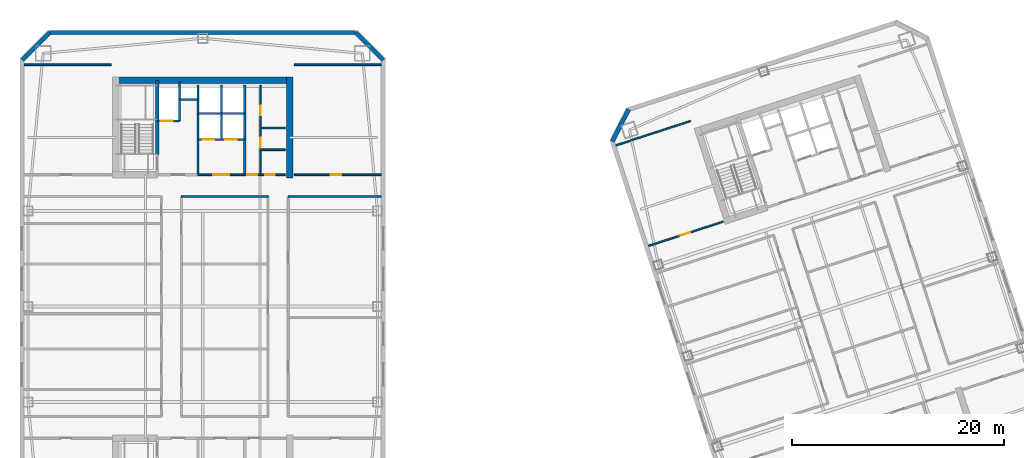
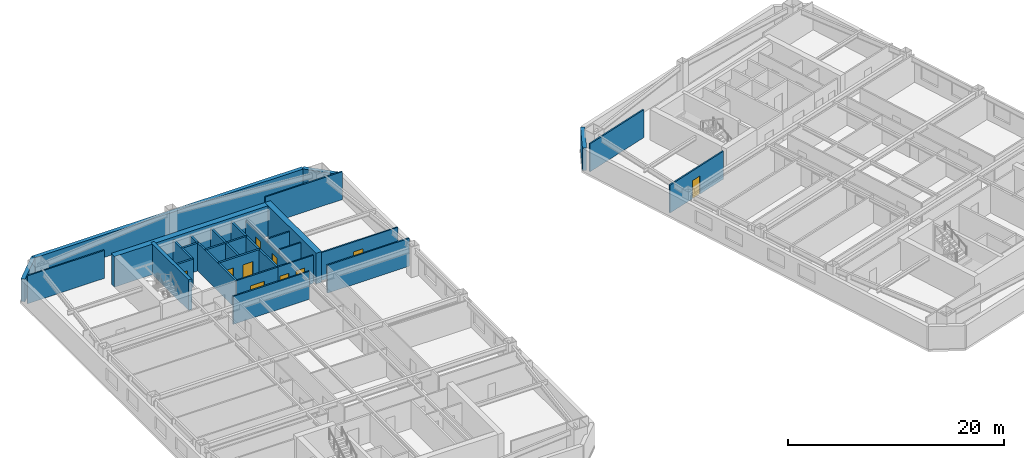
# One storey, part 7 of 13: 27 walls, 10 doors, 10 openings.
"""IFC4 building model written with IfcOpenShell, lengths in metres."""

from ifc_helpers import new_model, si_unit, direction, frame, frame_2d, origin, place, context, subcontext, project, spatial, rectangle, extrude, material, layer, layer_set, type_object, element, fill, save


model = new_model("IFC4")

# Units and contexts
model_context = context("Model", 3, precision=1e-05, world=origin(), true_north=direction((0.0, 1.0)))
body_context = subcontext(model_context, "Body", "Model", "MODEL_VIEW")
ifc_project = project(units=[si_unit("LENGTHUNIT", "METRE"), si_unit("AREAUNIT", "SQUARE_METRE"), si_unit("VOLUMEUNIT", "CUBIC_METRE"), si_unit("PLANEANGLEUNIT", "RADIAN"), si_unit("MASSUNIT", "GRAM", prefix="KILO")], contexts=[model_context])

# Site, building, storey
site_placement = place(None, origin())
site = spatial("IfcSite", under=ifc_project, at=site_placement, CompositionType="ELEMENT")
building_placement = place(site_placement, origin())
building = spatial("IfcBuilding", under=site, at=building_placement, Name="Qiaolan Cultural Towers", CompositionType="ELEMENT")
storey_placement = place(building_placement, frame((0.0, 0.0, 180.550048828125)))
storey = spatial("IfcBuildingStorey", under=building, at=storey_placement, Name="L48", CompositionType="ELEMENT", Elevation=180.550048828125)

# Walls
ifc_material_1 = material(Name="Concrete C50", Category="concrete")
ifc_layer_1 = layer(ifc_material_1, 0.35009765625)
ifc_layer_set_1 = layer_set([ifc_layer_1], Name="Concrete C50")
wall_type_1 = type_object("IfcWallType", Name="WL-CORE-350", PredefinedType="SHEAR", material=ifc_layer_set_1)
wall_1_placement = place(storey_placement, frame((25.719970703125, 48.300048828125, 0.0), z_axis=(0.0, 0.0, 1.0), x_axis=(0.0, 1.0, 0.0)))
element("IfcWall", 1, at=wall_1_placement, inside=storey, type_object=wall_type_1, Name="L48 T1-CN Stair Core Dividing Web", PredefinedType="SHEAR", context=body_context, shape_type="SweptSolid", body=[
    extrude(rectangle(XDim=6.97998046875, YDim=0.35009765625, at=frame_2d((3.489990234375, 0.0))), origin(), (0.0, 0.0, 1.0), 3.449951171875),
])
ifc_material_2 = material(Name="Concrete C55", Category="concrete")
ifc_layer_2 = layer(ifc_material_2, 0.60009765625)
ifc_layer_set_2 = layer_set([ifc_layer_2], Name="Concrete C55")
wall_type_2 = type_object("IfcWallType", Name="WL-CORE-600", PredefinedType="SHEAR", material=ifc_layer_set_2)
wall_2_placement = place(storey_placement, frame((21.5, 55.280029296875, 0.0), z_axis=(0.0, 0.0, 1.0), x_axis=(1.0, 0.0, 0.0)))
element("IfcWall", 2, at=wall_2_placement, inside=storey, type_object=wall_type_2, Name="L48 T1-CN Outer Core Shear Wall", PredefinedType="SHEAR", context=body_context, shape_type="SweptSolid", body=[
    extrude(rectangle(XDim=17.0, YDim=0.60009765625, at=frame_2d((8.5, 0.0))), origin(), (0.0, 0.0, 1.0), 3.449951171875),
])
wall_3_placement = place(storey_placement, frame((38.199951171875, 46.10009765625, 0.0), z_axis=(0.0, 0.0, 1.0), x_axis=(0.0, 1.0, 0.0)))
element("IfcWall", 3, at=wall_3_placement, inside=storey, type_object=wall_type_2, Name="L48 T1-CN East Core Shear Wall", PredefinedType="SHEAR", context=body_context, shape_type="SweptSolid", body=[
    extrude(rectangle(XDim=9.47998046875, YDim=0.60009765625, at=frame_2d((4.739990234375, 0.0))), origin(), (0.0, 0.0, 1.0), 3.449951171875),
])
ifc_material_3 = material(Name="Precast Concrete C50 Honed Stone Pier", Category="masonry")
ifc_layer_3 = layer(ifc_material_3, 0.39990234375)
ifc_layer_set_3 = layer_set([ifc_layer_3], Name="Precast Concrete C50 Honed Stone Pier")
wall_type_3 = type_object("IfcWallType", Name="WL-EXT-PIER-400", PredefinedType="SOLIDWALL", material=ifc_layer_set_3)
wall_4_placement = place(storey_placement, frame((13.0, 57.199951171875, 0.0), z_axis=(0.0, 0.0, 1.0), x_axis=(0.707106781187, 0.707106781187, 0.0)))
element("IfcWall", 4, at=wall_4_placement, inside=storey, type_object=wall_type_3, Name="L48 West Tower Precast Pier Facade Wall F2", PredefinedType="SOLIDWALL", context=body_context, shape_type="SweptSolid", body=[
    extrude(rectangle(XDim=3.677001953125, YDim=0.39990234375, at=frame_2d((1.83837890625, 0.0))), origin(), (0.0, 0.0, 1.0), 2.550048828125),
])
wall_5_placement = place(storey_placement, frame((15.60009765625, 59.800048828125, 0.0), z_axis=(0.0, 0.0, 1.0), x_axis=(1.0, 0.0, 0.0)))
element("IfcWall", 5, at=wall_5_placement, inside=storey, type_object=wall_type_3, Name="L48 West Tower Precast Pier Facade Wall F3", PredefinedType="SOLIDWALL", context=body_context, shape_type="SweptSolid", body=[
    extrude(rectangle(XDim=28.7998046875, YDim=0.39990234375, at=frame_2d((14.39990234375, 0.0))), origin(), (0.0, 0.0, 1.0), 2.550048828125),
])
wall_6_placement = place(storey_placement, frame((44.39990234375, 59.800048828125, 0.0), z_axis=(0.0, 0.0, 1.0), x_axis=(0.707106781187, -0.707106781187, 0.0)))
element("IfcWall", 6, at=wall_6_placement, inside=storey, type_object=wall_type_3, Name="L48 West Tower Precast Pier Facade Wall F4", PredefinedType="SOLIDWALL", context=body_context, shape_type="SweptSolid", body=[
    extrude(rectangle(XDim=3.677001953125, YDim=0.39990234375, at=frame_2d((1.83837890625, 0.0))), origin(), (0.0, 0.0, 1.0), 2.550048828125),
])
wall_7_placement = place(storey_placement, frame((68.550537109375, 49.531982421875, 0.0), z_axis=(0.0, 0.0, 1.0), x_axis=(0.454019523198, 0.890991735402, 0.0)))
element("IfcWall", 7, at=wall_7_placement, inside=storey, type_object=wall_type_3, Name="L48 East Tower Precast Pier Facade Wall F2", PredefinedType="SOLIDWALL", context=body_context, shape_type="SweptSolid", body=[
    extrude(rectangle(XDim=3.39404296875, YDim=0.39990234375, at=frame_2d((1.697021484375, 0.0))), origin(), (0.0, 0.0, 1.0), 2.550048828125),
])
ifc_material_4 = material(Name="Concrete C35 Fire Wall", Category="concrete")
ifc_layer_4 = layer(ifc_material_4, 0.199951171875)
ifc_layer_set_4 = layer_set([ifc_layer_4], Name="Concrete C35 Fire Wall")
wall_type_4 = type_object("IfcWallType", Name="WL-FIRE-200", PredefinedType="PARTITIONING", material=ifc_layer_set_4)
wall_8_placement = place(storey_placement, frame((29.550048828125, 46.39990234375, 0.0), z_axis=(0.0, 0.0, 1.0), x_axis=(0.0, 1.0, 0.0)))
element("IfcWall", 8, at=wall_8_placement, inside=storey, type_object=wall_type_4, Name="L48 T1-CN Firefighting Zone Wall", PredefinedType="PARTITIONING", context=body_context, shape_type="SweptSolid", body=[
    extrude(rectangle(XDim=8.43017578125, YDim=0.199951171875, at=frame_2d((4.215087890625, 0.0))), origin(), (0.0, 0.0, 1.0), 3.155029296875),
])

# Wall, opening, door
wall_9_placement = place(storey_placement, frame((25.719970703125, 51.449951171875, 0.0), z_axis=(0.0, 0.0, 1.0), x_axis=(1.0, 0.0, 0.0)))
wall_9 = element("IfcWall", 9, at=wall_9_placement, inside=storey, type_object=wall_type_4, Name="L48 T1-CN Firefighting Shaft Front Wall", PredefinedType="PARTITIONING", context=body_context, shape_type="SweptSolid", body=[
    extrude(rectangle(XDim=2.10009765625, YDim=0.199951171875, at=frame_2d((1.050048828125, 0.0))), origin(), (0.0, 0.0, 1.0), 3.155029296875),
])
opening_1_placement = place(wall_9_placement, frame((0.35009765625, 0.0, 0.0)))
opening_1 = element("IfcOpeningElement", 10, at=opening_1_placement, cuts=wall_9, Name="Opening LD-01", PredefinedType="OPENING", context=body_context, shape_type="SweptSolid", body=[
    extrude(rectangle(XDim=1.10009765625, YDim=2.050048828125, at=frame_2d((0.550048828125, 1.02490234375))), frame((0.0, 0.10986328125, 0.0), z_axis=(0.0, -1.0, 0.0), x_axis=(1.0, 0.0, 0.0)), (0.0, 0.0, 1.0), 0.219970703125),
])
ifc_material_5 = material(Name="Brushed Stainless Steel S30408 Centre-Parting Lift Landing Door", Category="steel")
door_type_1 = type_object("IfcDoorType", Name="DR-LIFT-1100", OperationType="NOTDEFINED", PredefinedType="DOOR", material=ifc_material_5)
door_1_placement = place(opening_1_placement, origin())
door_1 = element("IfcDoor", 11, at=door_1_placement, inside=storey, type_object=door_type_1, Name="L48 FFL-W2 Firefighting Lift Landing Door", OperationType="DOUBLE_DOOR_SLIDING", OverallHeight=2.050048828125, OverallWidth=1.10009765625, PredefinedType="DOOR", context=body_context, shape_type="SweptSolid", body=[
    extrude(rectangle(XDim=1.10009765625, YDim=2.050048828125, at=frame_2d((0.550048828125, 1.02490234375))), frame((0.0, 0.02490234375, 0.0), z_axis=(0.0, -1.0, 0.0), x_axis=(1.0, 0.0, 0.0)), (0.0, 0.0, 1.0), 0.050048828125),
])
fill(opening_1, door_1)

# Walls
wall_10_placement = place(storey_placement, frame((27.820068359375, 51.449951171875, 0.0), z_axis=(0.0, 0.0, 1.0), x_axis=(0.0, 1.0, 0.0)))
element("IfcWall", 12, at=wall_10_placement, inside=storey, type_object=wall_type_4, Name="L48 T1-CN Firefighting Hoistway East Wall", PredefinedType="PARTITIONING", context=body_context, shape_type="SweptSolid", body=[
    extrude(rectangle(XDim=3.699951171875, YDim=0.199951171875, at=frame_2d((1.85009765625, 0.0))), origin(), (0.0, 0.0, 1.0), 3.155029296875),
])
wall_11_placement = place(storey_placement, frame((27.820068359375, 53.47998046875, 0.0), z_axis=(0.0, 0.0, 1.0), x_axis=(1.0, 0.0, 0.0)))
element("IfcWall", 13, at=wall_11_placement, inside=storey, type_object=wall_type_4, Name="L48 T1-CN Pressurization Shaft Front Wall", PredefinedType="PARTITIONING", context=body_context, shape_type="SweptSolid", body=[
    extrude(rectangle(XDim=1.72998046875, YDim=0.199951171875, at=frame_2d((0.864990234375, 0.0))), origin(), (0.0, 0.0, 1.0), 3.155029296875),
])
wall_12_placement = place(storey_placement, frame((33.949951171875, 46.39990234375, 0.0), z_axis=(0.0, 0.0, 1.0), x_axis=(0.0, 1.0, 0.0)))
element("IfcWall", 14, at=wall_12_placement, inside=storey, type_object=wall_type_4, Name="L48 T1-CN Lift Core East Wall", PredefinedType="PARTITIONING", context=body_context, shape_type="SweptSolid", body=[
    extrude(rectangle(XDim=8.43017578125, YDim=0.199951171875, at=frame_2d((4.215087890625, 0.0))), origin(), (0.0, 0.0, 1.0), 3.155029296875),
])

# Wall, openings, doors
wall_13_placement = place(storey_placement, frame((29.550048828125, 49.719970703125, 0.0), z_axis=(0.0, 0.0, 1.0), x_axis=(1.0, 0.0, 0.0)))
wall_13 = element("IfcWall", 15, at=wall_13_placement, inside=storey, type_object=wall_type_4, Name="L48 T1-CN Passenger Lift Shaft Front Wall", PredefinedType="PARTITIONING", context=body_context, shape_type="SweptSolid", body=[
    extrude(rectangle(XDim=4.39990234375, YDim=0.199951171875, at=frame_2d((2.199951171875, 0.0))), origin(), (0.0, 0.0, 1.0), 3.155029296875),
])
opening_2_placement = place(wall_13_placement, frame((0.449951171875, 0.0, 0.0)))
opening_2 = element("IfcOpeningElement", 16, at=opening_2_placement, cuts=wall_13, Name="Opening LD-01", PredefinedType="OPENING", context=body_context, shape_type="SweptSolid", body=[
    extrude(rectangle(XDim=1.10009765625, YDim=2.050048828125, at=frame_2d((0.550048828125, 1.02490234375))), frame((0.0, 0.10986328125, 0.0), z_axis=(0.0, -1.0, 0.0), x_axis=(1.0, 0.0, 0.0)), (0.0, 0.0, 1.0), 0.219970703125),
])
opening_3_placement = place(wall_13_placement, frame((2.550048828125, 0.0, 0.0)))
opening_3 = element("IfcOpeningElement", 17, at=opening_3_placement, cuts=wall_13, Name="Opening LD-01", PredefinedType="OPENING", context=body_context, shape_type="SweptSolid", body=[
    extrude(rectangle(XDim=1.10009765625, YDim=2.050048828125, at=frame_2d((0.550048828125, 1.02490234375))), frame((0.0, 0.10986328125, 0.0), z_axis=(0.0, -1.0, 0.0), x_axis=(1.0, 0.0, 0.0)), (0.0, 0.0, 1.0), 0.219970703125),
])
door_2_placement = place(opening_2_placement, origin())
door_2 = element("IfcDoor", 18, at=door_2_placement, inside=storey, type_object=door_type_1, Name="L48 Passenger Lift 1 Landing Door", OperationType="DOUBLE_DOOR_SLIDING", OverallHeight=2.050048828125, OverallWidth=1.10009765625, PredefinedType="DOOR", context=body_context, shape_type="SweptSolid", body=[
    extrude(rectangle(XDim=1.10009765625, YDim=2.050048828125, at=frame_2d((0.550048828125, 1.02490234375))), frame((0.0, 0.02490234375, 0.0), z_axis=(0.0, -1.0, 0.0), x_axis=(1.0, 0.0, 0.0)), (0.0, 0.0, 1.0), 0.050048828125),
])
fill(opening_2, door_2)
door_3_placement = place(opening_3_placement, origin())
door_3 = element("IfcDoor", 19, at=door_3_placement, inside=storey, type_object=door_type_1, Name="L48 Passenger Lift 2 Landing Door", OperationType="DOUBLE_DOOR_SLIDING", OverallHeight=2.050048828125, OverallWidth=1.10009765625, PredefinedType="DOOR", context=body_context, shape_type="SweptSolid", body=[
    extrude(rectangle(XDim=1.10009765625, YDim=2.050048828125, at=frame_2d((0.550048828125, 1.02490234375))), frame((0.0, 0.02490234375, 0.0), z_axis=(0.0, -1.0, 0.0), x_axis=(1.0, 0.0, 0.0)), (0.0, 0.0, 1.0), 0.050048828125),
])
fill(opening_3, door_3)

# Walls
wall_14_placement = place(storey_placement, frame((31.780029296875, 49.719970703125, 0.0), z_axis=(0.0, 0.0, 1.0), x_axis=(0.0, 1.0, 0.0)))
element("IfcWall", 20, at=wall_14_placement, inside=storey, type_object=wall_type_4, Name="L48 T1-CN Lift Shaft Divider Wall", PredefinedType="PARTITIONING", context=body_context, shape_type="SweptSolid", body=[
    extrude(rectangle(XDim=5.110107421875, YDim=0.199951171875, at=frame_2d((2.55517578125, 0.0))), origin(), (0.0, 0.0, 1.0), 3.155029296875),
])
wall_15_placement = place(storey_placement, frame((29.550048828125, 52.14990234375, 0.0), z_axis=(0.0, 0.0, 1.0), x_axis=(1.0, 0.0, 0.0)))
element("IfcWall", 21, at=wall_15_placement, inside=storey, type_object=wall_type_4, Name="L48 T1-CN Passenger Lift Shaft Back Wall", PredefinedType="PARTITIONING", context=body_context, shape_type="SweptSolid", body=[
    extrude(rectangle(XDim=4.39990234375, YDim=0.199951171875, at=frame_2d((2.199951171875, 0.0))), origin(), (0.0, 0.0, 1.0), 3.155029296875),
])

# Wall, opening, door
ifc_material_6 = material(Name="Autoclaved Aerated Concrete Block B06", Category="concrete")
ifc_layer_5 = layer(ifc_material_6, 0.14990234375)
ifc_layer_set_5 = layer_set([ifc_layer_5], Name="Autoclaved Aerated Concrete Block B06")
wall_type_5 = type_object("IfcWallType", Name="WL-PART-150", PredefinedType="PARTITIONING", material=ifc_layer_set_5)
wall_16_placement = place(storey_placement, frame((29.550048828125, 46.39990234375, 0.0), z_axis=(0.0, 0.0, 1.0), x_axis=(1.0, 0.0, 0.0)))
wall_16 = element("IfcWall", 22, at=wall_16_placement, inside=storey, type_object=wall_type_5, Name="L48 T1-CN Passenger Lift Lobby Front Wall", PredefinedType="PARTITIONING", context=body_context, shape_type="SweptSolid", body=[
    extrude(rectangle(XDim=4.39990234375, YDim=0.14990234375, at=frame_2d((2.199951171875, 0.0))), origin(), (0.0, 0.0, 1.0), 3.155029296875),
])
opening_4_placement = place(wall_16_placement, frame((1.449951171875, 0.0, 0.0)))
opening_4 = element("IfcOpeningElement", 23, at=opening_4_placement, cuts=wall_16, Name="Opening FD-05", PredefinedType="OPENING", context=body_context, shape_type="SweptSolid", body=[
    extrude(rectangle(XDim=1.5, YDim=2.050048828125, at=frame_2d((0.75, 1.02490234375))), frame((0.0, 0.0849609375, 0.0), z_axis=(0.0, -1.0, 0.0), x_axis=(1.0, 0.0, 0.0)), (0.0, 0.0, 1.0), 0.169921875),
])
ifc_material_7 = material(Name="Painted Steel Lift Lobby Fire Door", Category="steel")
door_type_2 = type_object("IfcDoorType", Name="DR-FD60-1500", OperationType="NOTDEFINED", PredefinedType="DOOR", material=ifc_material_7)
door_4_placement = place(opening_4_placement, origin())
door_4 = element("IfcDoor", 24, at=door_4_placement, inside=storey, type_object=door_type_2, Name="L48 Passenger Lift Lobby Entrance", OperationType="SINGLE_SWING_LEFT", OverallHeight=2.050048828125, OverallWidth=1.5, PredefinedType="DOOR", context=body_context, shape_type="SweptSolid", body=[
    extrude(rectangle(XDim=1.5, YDim=2.050048828125, at=frame_2d((0.75, 1.02490234375))), frame((0.0, 0.02490234375, 0.0), z_axis=(0.0, -1.0, 0.0), x_axis=(1.0, 0.0, 0.0)), (0.0, 0.0, 1.0), 0.050048828125),
])
fill(opening_4, door_4)

# Wall, openings, doors
wall_17_placement = place(storey_placement, frame((33.949951171875, 46.39990234375, 0.0), z_axis=(0.0, 0.0, 1.0), x_axis=(1.0, 0.0, 0.0)))
wall_17 = element("IfcWall", 25, at=wall_17_placement, inside=storey, type_object=wall_type_5, Name="L48 T1-CN Sanitary Core Front Wall", PredefinedType="PARTITIONING", context=body_context, shape_type="SweptSolid", body=[
    extrude(rectangle(XDim=3.800048828125, YDim=0.14990234375, at=frame_2d((1.89990234375, 0.0))), origin(), (0.0, 0.0, 1.0), 3.155029296875),
])
opening_5_placement = place(wall_17_placement, frame((0.219970703125, 0.0, 0.0)))
opening_5 = element("IfcOpeningElement", 26, at=opening_5_placement, cuts=wall_17, Name="Opening ID-05", PredefinedType="OPENING", context=body_context, shape_type="SweptSolid", body=[
    extrude(rectangle(XDim=0.949951171875, YDim=2.050048828125, at=frame_2d((0.47509765625, 1.02490234375))), frame((0.0, 0.0849609375, 0.0), z_axis=(0.0, -1.0, 0.0), x_axis=(1.0, 0.0, 0.0)), (0.0, 0.0, 1.0), 0.169921875),
])
opening_6_placement = place(wall_17_placement, frame((1.949951171875, 0.0, 0.0)))
opening_6 = element("IfcOpeningElement", 27, at=opening_6_placement, cuts=wall_17, Name="Opening ID-06", PredefinedType="OPENING", context=body_context, shape_type="SweptSolid", body=[
    extrude(rectangle(XDim=0.89990234375, YDim=2.050048828125, at=frame_2d((0.449951171875, 1.02490234375))), frame((0.0, 0.0849609375, 0.0), z_axis=(0.0, -1.0, 0.0), x_axis=(1.0, 0.0, 0.0)), (0.0, 0.0, 1.0), 0.169921875),
])
ifc_material_8 = material(Name="Fire-Rated Laminate Core Service Door", Category="timber")
door_type_3 = type_object("IfcDoorType", Name="DR-INT-900", OperationType="NOTDEFINED", PredefinedType="DOOR", material=ifc_material_8)
door_5_placement = place(opening_6_placement, origin())
door_5 = element("IfcDoor", 28, at=door_5_placement, inside=storey, type_object=door_type_3, Name="L48 Core Tea Pantry Door", OperationType="SINGLE_SWING_RIGHT", OverallHeight=2.050048828125, OverallWidth=0.89990234375, PredefinedType="DOOR", context=body_context, shape_type="SweptSolid", body=[
    extrude(rectangle(XDim=0.89990234375, YDim=2.050048828125, at=frame_2d((0.449951171875, 1.02490234375))), frame((0.0, 0.02490234375, 0.0), z_axis=(0.0, -1.0, 0.0), x_axis=(1.0, 0.0, 0.0)), (0.0, 0.0, 1.0), 0.050048828125),
])
fill(opening_6, door_5)
ifc_material_9 = material(Name="Fire-Rated Laminate Accessible Core Door", Category="timber")
door_type_4 = type_object("IfcDoorType", Name="DR-INT-950", OperationType="NOTDEFINED", PredefinedType="DOOR", material=ifc_material_9)
door_6_placement = place(opening_5_placement, origin())
door_6 = element("IfcDoor", 29, at=door_6_placement, inside=storey, type_object=door_type_4, Name="L48 Sanitary Passage Door", OperationType="SINGLE_SWING_LEFT", OverallHeight=2.050048828125, OverallWidth=0.949951171875, PredefinedType="DOOR", context=body_context, shape_type="SweptSolid", body=[
    extrude(rectangle(XDim=0.949951171875, YDim=2.050048828125, at=frame_2d((0.47509765625, 1.02490234375))), frame((0.0, 0.02490234375, 0.0), z_axis=(0.0, -1.0, 0.0), x_axis=(1.0, 0.0, 0.0)), (0.0, 0.0, 1.0), 0.050048828125),
])
fill(opening_5, door_6)

wall_18_placement = place(storey_placement, frame((35.449951171875, 46.39990234375, 0.0), z_axis=(0.0, 0.0, 1.0), x_axis=(0.0, 1.0, 0.0)))
wall_18 = element("IfcWall", 30, at=wall_18_placement, inside=storey, type_object=wall_type_5, Name="L48 T1-CN Sanitary Corridor Wall", PredefinedType="PARTITIONING", context=body_context, shape_type="SweptSolid", body=[
    extrude(rectangle(XDim=8.43017578125, YDim=0.14990234375, at=frame_2d((4.215087890625, 0.0))), origin(), (0.0, 0.0, 1.0), 2.744873046875),
])
opening_7_placement = place(wall_18_placement, frame((2.550048828125, 0.0, 0.0)))
opening_7 = element("IfcOpeningElement", 31, at=opening_7_placement, cuts=wall_18, Name="Opening ID-05", PredefinedType="OPENING", context=body_context, shape_type="SweptSolid", body=[
    extrude(rectangle(XDim=0.949951171875, YDim=2.050048828125, at=frame_2d((0.47509765625, 1.02490234375))), frame((0.0, 0.0849609375, 0.0), z_axis=(0.0, -1.0, 0.0), x_axis=(1.0, 0.0, 0.0)), (0.0, 0.0, 1.0), 0.169921875),
])
opening_8_placement = place(wall_18_placement, frame((5.60009765625, 0.0, 0.0)))
opening_8 = element("IfcOpeningElement", 32, at=opening_8_placement, cuts=wall_18, Name="Opening ID-06", PredefinedType="OPENING", context=body_context, shape_type="SweptSolid", body=[
    extrude(rectangle(XDim=0.89990234375, YDim=2.050048828125, at=frame_2d((0.449951171875, 1.02490234375))), frame((0.0, 0.0849609375, 0.0), z_axis=(0.0, -1.0, 0.0), x_axis=(1.0, 0.0, 0.0)), (0.0, 0.0, 1.0), 0.169921875),
])
door_7_placement = place(opening_8_placement, origin())
door_7 = element("IfcDoor", 33, at=door_7_placement, inside=storey, type_object=door_type_3, Name="L48 Staff Restroom Door", OperationType="SINGLE_SWING_RIGHT", OverallHeight=2.050048828125, OverallWidth=0.89990234375, PredefinedType="DOOR", context=body_context, shape_type="SweptSolid", body=[
    extrude(rectangle(XDim=0.89990234375, YDim=2.050048828125, at=frame_2d((0.449951171875, 1.02490234375))), frame((0.0, 0.02490234375, 0.0), z_axis=(0.0, -1.0, 0.0), x_axis=(1.0, 0.0, 0.0)), (0.0, 0.0, 1.0), 0.050048828125),
])
fill(opening_8, door_7)
door_8_placement = place(opening_7_placement, origin())
door_8 = element("IfcDoor", 34, at=door_8_placement, inside=storey, type_object=door_type_4, Name="L48 Accessible Washroom Door", OperationType="SINGLE_SWING_LEFT", OverallHeight=2.050048828125, OverallWidth=0.949951171875, PredefinedType="DOOR", context=body_context, shape_type="SweptSolid", body=[
    extrude(rectangle(XDim=0.949951171875, YDim=2.050048828125, at=frame_2d((0.47509765625, 1.02490234375))), frame((0.0, 0.02490234375, 0.0), z_axis=(0.0, -1.0, 0.0), x_axis=(1.0, 0.0, 0.0)), (0.0, 0.0, 1.0), 0.050048828125),
])
fill(opening_7, door_8)

# Walls
for number, where, z_axis, x_axis, name in (
    (35, (35.449951171875, 50.800048828125, 0.0), (0.0, 0.0, 1.0), (1.0, 0.0, 0.0), "L48 T1-CN Restroom Split Wall"),
    (36, (35.449951171875, 48.75, 0.0), (0.0, 0.0, 1.0), (1.0, 0.0, 0.0), "L48 T1-CN Core Pantry Wall"),
):
    element("IfcWall", number, at=place(storey_placement, frame(where, z_axis=z_axis, x_axis=x_axis)), inside=storey, type_object=wall_type_5, Name=name, PredefinedType="PARTITIONING", context=body_context, shape_type="SweptSolid", body=[
        extrude(rectangle(XDim=2.300048828125, YDim=0.14990234375, at=frame_2d((1.14990234375, 0.0))), origin(), (0.0, 0.0, 1.0), 3.155029296875),
    ])
for number, where, z_axis, x_axis, name in (
    (37, (13.199951171875, 56.75, 0.0), (0.0, 0.0, 1.0), (1.0, 0.0, 0.0), "L48 T1 Flank Wall FLK-NW"),
    (38, (38.60009765625, 56.75, 0.0), (0.0, 0.0, 1.0), (1.0, 0.0, 0.0), "L48 T1 Flank Wall FLK-NE"),
):
    element("IfcWall", number, at=place(storey_placement, frame(where, z_axis=z_axis, x_axis=x_axis)), inside=storey, type_object=wall_type_5, Name=name, PredefinedType="PARTITIONING", context=body_context, shape_type="SweptSolid", body=[
        extrude(rectangle(XDim=8.199951171875, YDim=0.14990234375, at=frame_2d((4.10009765625, 0.0))), origin(), (0.0, 0.0, 1.0), 3.155029296875),
    ])

# Wall, opening, door
wall_19_placement = place(storey_placement, frame((38.60009765625, 46.39990234375, 0.0), z_axis=(0.0, 0.0, 1.0), x_axis=(1.0, 0.0, 0.0)))
wall_19 = element("IfcWall", 39, at=wall_19_placement, inside=storey, type_object=wall_type_5, Name="L48 T1 Flank Front FLK-NE", PredefinedType="PARTITIONING", context=body_context, shape_type="SweptSolid", body=[
    extrude(rectangle(XDim=8.199951171875, YDim=0.14990234375, at=frame_2d((4.10009765625, 0.0))), origin(), (0.0, 0.0, 1.0), 3.155029296875),
])
opening_9_placement = place(wall_19_placement, frame((3.444091796875, 0.0, 0.0)))
opening_9 = element("IfcOpeningElement", 40, at=opening_9_placement, cuts=wall_19, Name="Opening ID-04", PredefinedType="OPENING", context=body_context, shape_type="SweptSolid", body=[
    extrude(rectangle(XDim=1.0, YDim=2.050048828125, at=frame_2d((0.5, 1.02490234375))), frame((0.0, 0.0849609375, 0.0), z_axis=(0.0, -1.0, 0.0), x_axis=(1.0, 0.0, 0.0)), (0.0, 0.0, 1.0), 0.169921875),
])
ifc_material_10 = material(Name="Oak Veneer Acoustic Office Door", Category="timber")
door_type_5 = type_object("IfcDoorType", Name="DR-INT-1000", OperationType="NOTDEFINED", PredefinedType="DOOR", material=ifc_material_10)
door_9_placement = place(opening_9_placement, origin())
door_9 = element("IfcDoor", 41, at=door_9_placement, inside=storey, type_object=door_type_5, Name="L48 T1 Corner Studio Door", OperationType="SINGLE_SWING_LEFT", OverallHeight=2.050048828125, OverallWidth=1.0, PredefinedType="DOOR", context=body_context, shape_type="SweptSolid", body=[
    extrude(rectangle(XDim=1.0, YDim=2.050048828125, at=frame_2d((0.5, 1.02490234375))), frame((0.0, 0.02490234375, 0.0), z_axis=(0.0, -1.0, 0.0), x_axis=(1.0, 0.0, 0.0)), (0.0, 0.0, 1.0), 0.050048828125),
])
fill(opening_9, door_9)

# Walls
wall_20_placement = place(storey_placement, frame((28.0, 44.35009765625, 0.0), z_axis=(0.0, 0.0, 1.0), x_axis=(1.0, 0.0, 0.0)))
element("IfcWall", 42, at=wall_20_placement, inside=storey, type_object=wall_type_5, Name="L48 T1 Interior Wall", PredefinedType="PARTITIONING", context=body_context, shape_type="SweptSolid", body=[
    extrude(rectangle(XDim=8.14990234375, YDim=0.14990234375, at=frame_2d((4.074951171875, 0.0))), origin(), (0.0, 0.0, 1.0), 3.155029296875),
])
wall_21_placement = place(storey_placement, frame((38.050048828125, 44.35009765625, 0.0), z_axis=(0.0, 0.0, 1.0), x_axis=(1.0, 0.0, 0.0)))
element("IfcWall", 43, at=wall_21_placement, inside=storey, type_object=wall_type_5, Name="L48 T1 Interior Wall", PredefinedType="PARTITIONING", context=body_context, shape_type="SweptSolid", body=[
    extrude(rectangle(XDim=8.75, YDim=0.14990234375, at=frame_2d((4.375, 0.0))), origin(), (0.0, 0.0, 1.0), 3.155029296875),
])
wall_22_placement = place(storey_placement, frame((68.8798828125, 49.165771484375, 0.0), z_axis=(0.0, 0.0, 1.0), x_axis=(0.951060977215, 0.309003264738, 0.0)))
element("IfcWall", 44, at=wall_22_placement, inside=storey, type_object=wall_type_5, Name="L48 T2 Flank Wall FLK-NW", PredefinedType="PARTITIONING", context=body_context, shape_type="SweptSolid", body=[
    extrude(rectangle(XDim=7.39990234375, YDim=0.14990234375, at=frame_2d((3.699951171875, 0.0))), origin(), (0.0, 0.0, 1.0), 3.155029296875),
])

# Wall, opening, door
wall_23_placement = place(storey_placement, frame((71.95458984375, 39.702880859375, 0.0), z_axis=(0.0, 0.0, 1.0), x_axis=(0.951060977215, 0.309003264738, 0.0)))
wall_23 = element("IfcWall", 45, at=wall_23_placement, inside=storey, type_object=wall_type_5, Name="L48 T2 Flank Front FLK-NW", PredefinedType="PARTITIONING", context=body_context, shape_type="SweptSolid", body=[
    extrude(rectangle(XDim=7.39990234375, YDim=0.14990234375, at=frame_2d((3.699951171875, 0.0))), origin(), (0.0, 0.0, 1.0), 3.155029296875),
])
opening_10_placement = place(wall_23_placement, frame((3.10791015625, 0.0, 0.0)))
opening_10 = element("IfcOpeningElement", 46, at=opening_10_placement, cuts=wall_23, Name="Opening ID-04", PredefinedType="OPENING", context=body_context, shape_type="SweptSolid", body=[
    extrude(rectangle(XDim=1.0, YDim=2.050048828125, at=frame_2d((0.5, 1.02490234375))), frame((0.0, 0.0849609375, 0.0), z_axis=(0.0, -1.0, 0.0), x_axis=(1.0, 0.0, 0.0)), (0.0, 0.0, 1.0), 0.169921875),
])
door_10_placement = place(opening_10_placement, origin())
door_10 = element("IfcDoor", 47, at=door_10_placement, inside=storey, type_object=door_type_5, Name="L48 T2 Corner Studio Door", OperationType="SINGLE_SWING_LEFT", OverallHeight=2.050048828125, OverallWidth=1.0, PredefinedType="DOOR", context=body_context, shape_type="SweptSolid", body=[
    extrude(rectangle(XDim=1.0, YDim=2.050048828125, at=frame_2d((0.5, 1.02490234375))), frame((0.0, 0.02490234375, 0.0), z_axis=(0.0, -1.0, 0.0), x_axis=(1.0, 0.0, 0.0)), (0.0, 0.0, 1.0), 0.050048828125),
])
fill(opening_10, door_10)

save(model, "model.ifc")
